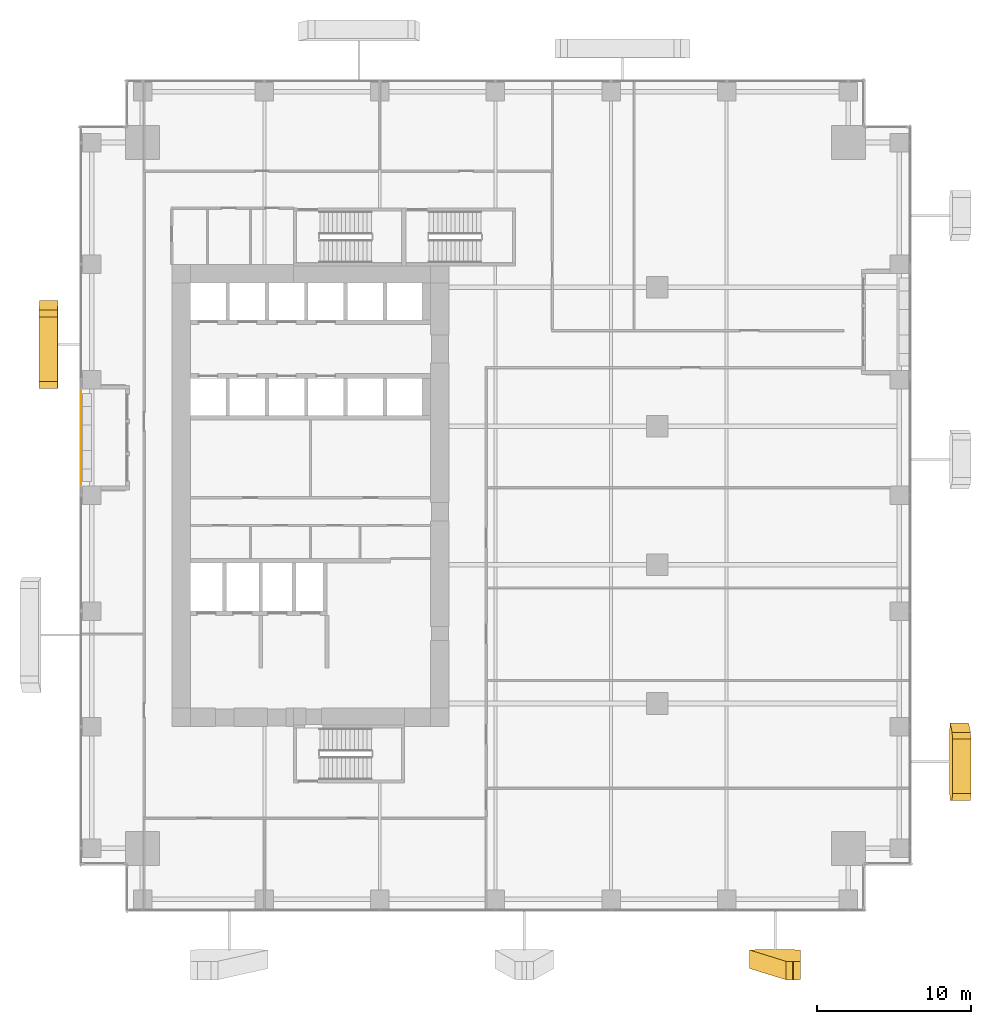
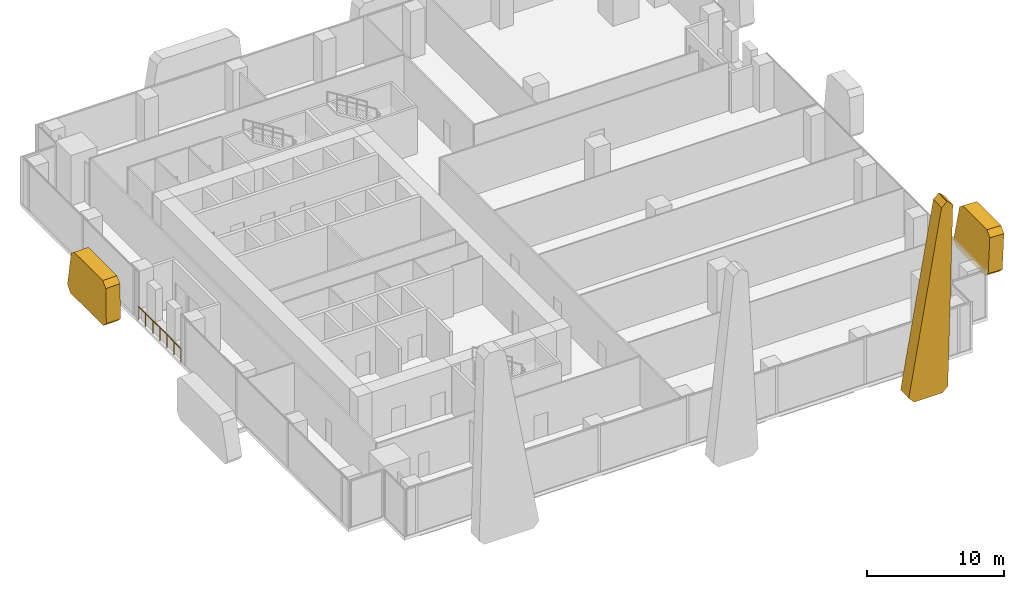
# One storey, part 32 of 35: 3 coverings, 1 railing.
"""IFC4 building model written with IfcOpenShell, lengths in metres."""

from ifc_helpers import new_model, si_unit, direction, frame, origin, origin_2d, place, context, subcontext, project, spatial, polyline, circle, outline, extrude, source, transform, mapped, material, layer, layer_set, type_object, element, save


model = new_model("IFC4")

# Units and contexts
model_context = context("Model", 3, precision=1e-05, world=origin(), true_north=direction((0.0, 1.0)))
body_context = subcontext(model_context, "Body", "Model", "MODEL_VIEW")
ifc_project = project(units=[si_unit("LENGTHUNIT", "METRE"), si_unit("AREAUNIT", "SQUARE_METRE"), si_unit("VOLUMEUNIT", "CUBIC_METRE"), si_unit("PLANEANGLEUNIT", "RADIAN"), si_unit("MASSUNIT", "GRAM", prefix="KILO")], contexts=[model_context])

# Site, building, storey
site_placement = place(None, origin())
site = spatial("IfcSite", under=ifc_project, at=site_placement, CompositionType="ELEMENT")
building_placement = place(site_placement, origin())
building = spatial("IfcBuilding", under=site, at=building_placement, Name="Khomas Fold Tower", CompositionType="ELEMENT")
storey_placement = place(building_placement, frame((0.0, 0.0, 69.0)))
storey = spatial("IfcBuildingStorey", under=building, at=storey_placement, Name="L14", CompositionType="ELEMENT", Elevation=69.0)

# Coverings
ifc_material_1 = material(Name="Natural stone cladding", Category="masonry")
ifc_layer = layer(ifc_material_1, 1.199951171875)
ifc_layer_set = layer_set([ifc_layer], Name="Natural stone cladding")
covering_type = type_object("IfcCoveringType", Name="SK-Karibib marble stone panel", PredefinedType="CLADDING", material=ifc_layer_set)
covering_1_placement = place(storey_placement, frame((46.800048828125, -3.2255859375, 17.10009765625), z_axis=(3.1362239e-05, 0.999042146226, 0.043758302997), x_axis=(6.1e-11, 0.043758303019, -0.999042146717)))
element("IfcCovering", 1, at=covering_1_placement, inside=storey, type_object=covering_type, Name="OUTER SKIN leaf L14 SS09-3", PredefinedType="CLADDING", context=body_context, shape_type="SweptSolid", body=[
    extrude(outline(polyline([(0.0, 0.0), (16.66610874391356, 0.0), (17.116494266089052, 0.4499511737935783), (17.116494265941224, 2.858154297609236), (16.603063281018816, 3.303710938169787), (-0.06280155597654422, 0.9562988296141995), (-0.4503855222344668, 0.5107421851089573), (-0.4503855222307351, 0.449951169513854), (0.0, 0.0)])), origin(), (0.0, 0.0, -1.0), 1.199951171875),
])
covering_2_placement = place(storey_placement, frame((56.63818359375, 11.63037109375, 3.6865234375), z_axis=(-0.999041046849, 2.2915362e-05, 0.043783400808), x_axis=(-0.042964261307, 0.192017528265, -0.980450580646)))
element("IfcCovering", 2, at=covering_2_placement, inside=storey, type_object=covering_type, Name="OUTER SKIN leaf L14 ES03-1", PredefinedType="CLADDING", context=body_context, shape_type="SweptSolid", body=[
    extrude(outline(polyline([(0.0, 0.0), (3.212953355381151, 0.0), (3.6550572983486735, 0.5365260478948587), (2.857078205056029, 4.61495525785142), (2.328675170415141, 4.970051595199967), (-0.7658142460193218, 4.364588628829375), (-1.1214202569334624, 3.836528458840364), (-0.4418582233081436, 0.3633226177212049), (0.0, 0.0)])), origin(), (0.0, 0.0, -1.0), 1.199951171875),
])
covering_3_placement = place(storey_placement, frame((-1.37890625, 33.949951171875, 0.449951171875), z_axis=(0.999913682912, -5.958259e-06, 0.013138747651), x_axis=(-0.013138747652, -2.11e-10, 0.99991368293)))
element("IfcCovering", 3, at=covering_3_placement, inside=storey, type_object=covering_type, Name="OUTER SKIN leaf L14 WS08-2", PredefinedType="CLADDING", context=body_context, shape_type="SweptSolid", body=[
    extrude(outline(polyline([(0.0, 0.0), (3.1504198823104024, 0.0), (3.600409200473263, -0.4499511722771169), (3.6004091995938228, -4.6262207034529865), (3.2368510332812304, -5.067871094625895), (0.08643435854302685, -5.68457031191042), (-0.4499893193616678, -5.242919921371832), (-0.4499893183523626, -0.44995117145690944), (0.0, 0.0)])), origin(), (0.0, 0.0, -1.0), 1.199951171875),
])

# Railing
ifc_material_2 = material(Name="Powder-coated steel", Category="steel")
railing_type = type_object("IfcRailingType", Name="Balcony guard", PredefinedType="GUARDRAIL", material=ifc_material_2)
shared_shape = source(origin(), body_context, "Body", "SweptSolid", [
    extrude(circle(Radius=0.02490234375, at=origin_2d()), frame((0.0, 0.0, 1.125), z_axis=(0.0, 1.0, 0.0), x_axis=(-1.0, 0.0, 0.0)), (0.0, 0.0, 1.0), 6.240234375),
    extrude(circle(Radius=0.02001953125, at=origin_2d()), origin(), (0.0, 0.0, 1.0), 1.099853515625),
    extrude(circle(Radius=0.02001953125, at=origin_2d()), frame((0.0, 1.0400390625, 0.0)), (0.0, 0.0, 1.0), 1.099853515625),
    extrude(circle(Radius=0.02001953125, at=origin_2d()), frame((0.0, 2.080078125, 0.0)), (0.0, 0.0, 1.0), 1.099853515625),
    extrude(circle(Radius=0.02001953125, at=origin_2d()), frame((0.0, 3.1201171875, 0.0)), (0.0, 0.0, 1.0), 1.099853515625),
    extrude(circle(Radius=0.02001953125, at=origin_2d()), frame((0.0, 4.16015625, 0.0)), (0.0, 0.0, 1.0), 1.099853515625),
    extrude(circle(Radius=0.02001953125, at=origin_2d()), frame((0.0, 5.2001953125, 0.0)), (0.0, 0.0, 1.0), 1.099853515625),
    extrude(circle(Radius=0.02001953125, at=origin_2d()), frame((0.0, 6.240234375, 0.0)), (0.0, 0.0, 1.0), 1.099853515625),
])
railing_placement = place(storey_placement, frame((0.10009765625, 27.6298828125, -0.044921875)))
element("IfcRailing", 4, at=railing_placement, inside=storey, type_object=railing_type, Name="Balcony guard BAL-L14-W3", PredefinedType="GUARDRAIL", context=body_context, shape_type="MappedRepresentation", body=[
    mapped(shared_shape, transform((0.0, 0.0, 0.0))),
])

save(model, "model.ifc")
